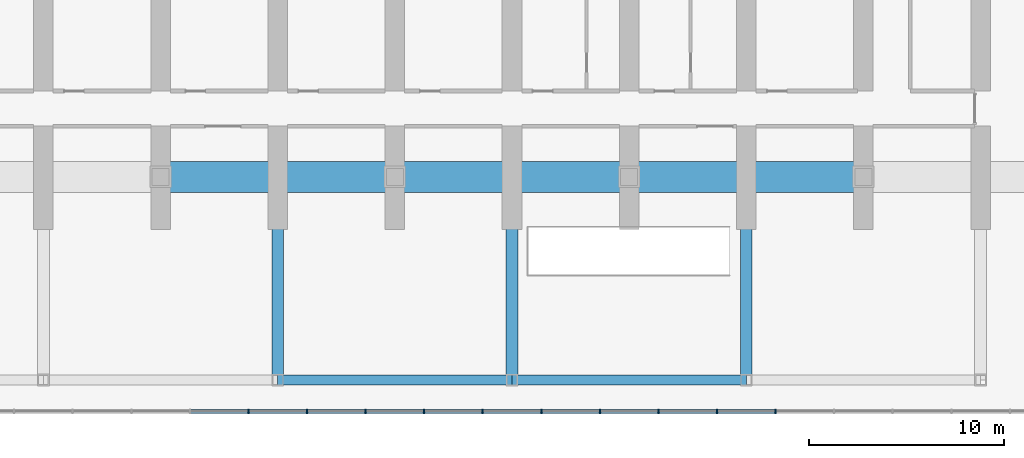
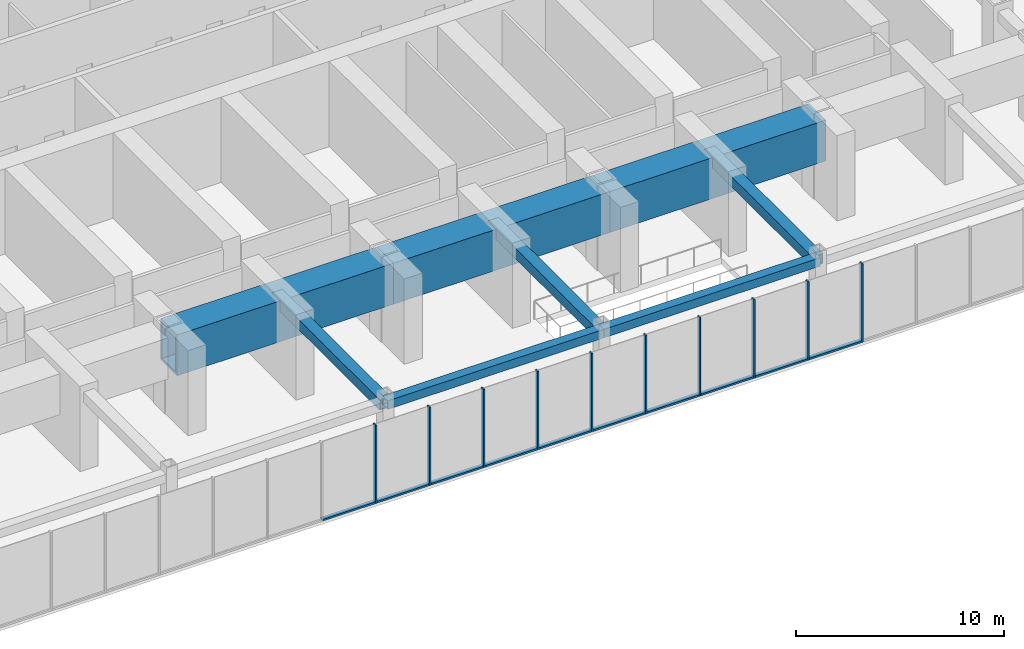
# One storey, part 4 of 26: 20 members, 8 beams, 1 element without a shape of its own.
"""IFC4 building model written with IfcOpenShell, lengths in metres."""

from ifc_helpers import new_model, si_unit, direction, frame, origin, origin_2d, place, context, subcontext, project, spatial, rectangle, hollow_rectangle, extrude, material, material_profile, profile_set, type_object, element, aggregate, save


model = new_model("IFC4")

# Units and contexts
model_context = context("Model", 3, precision=1e-05, world=origin(), true_north=direction((0.0, 1.0)))
body_context = subcontext(model_context, "Body", "Model", "MODEL_VIEW")
ifc_project = project(units=[si_unit("LENGTHUNIT", "METRE"), si_unit("AREAUNIT", "SQUARE_METRE"), si_unit("VOLUMEUNIT", "CUBIC_METRE"), si_unit("PLANEANGLEUNIT", "RADIAN"), si_unit("MASSUNIT", "GRAM", prefix="KILO")], contexts=[model_context])

# Site, building, storey
site_placement = place(None, origin())
site = spatial("IfcSite", under=ifc_project, at=site_placement, CompositionType="ELEMENT")
building_placement = place(site_placement, origin())
building = spatial("IfcBuilding", under=site, at=building_placement, Name="Orbita Commons", CompositionType="ELEMENT")
storey_placement = place(building_placement, frame((0.0, 0.0, 11.0)))
storey = spatial("IfcBuildingStorey", under=building, at=storey_placement, Name="L02", CompositionType="ELEMENT", Elevation=11.0)

# Curtain wall, members
ifc_material_1 = material(Name="Anodised aluminium frame, pale silver", Category="aluminium")
curtain_wall_type = type_object("IfcCurtainWallType", Name="Podium storefront curtain wall CW-P", PredefinedType="NOTDEFINED", material=ifc_material_1)
curtain_wall_placement = place(storey_placement, origin())
curtain_wall = element("IfcCurtainWall", 1, at=curtain_wall_placement, inside=storey, type_object=curtain_wall_type, Name="Curtain wall S 1 L02", PredefinedType="NOTDEFINED")
ifc_material_2 = material(Name="Anodised aluminium, pale silver", Category="aluminium")
ifc_material_profile_1 = material_profile(ifc_material_2, rectangle(XDim=0.080078125, YDim=0.219970703125, at=origin_2d()), Name="AL 80x220")
ifc_profile_set_1 = profile_set([ifc_material_profile_1], Name="Anodised aluminium, pale silver")
member_type_1 = type_object("IfcMemberType", Name="Curtain wall mullion 80x220", PredefinedType="MULLION", material=ifc_profile_set_1)
member_1_placement = place(storey_placement, frame((34.5, -1.610107421875, 0.0), z_axis=(0.0, 0.0, 1.0), x_axis=(1.0, 0.0, 0.0)))
member_1 = element("IfcMember", 2, at=member_1_placement, type_object=member_type_1, Name="Mullion 11 CW-L02-S0", PredefinedType="MULLION", context=body_context, shape_type="SweptSolid", body=[
    extrude(rectangle(XDim=0.080078125, YDim=0.219970703125, at=origin_2d()), origin(), (0.0, 0.0, 1.0), 4.60009765625),
])
member_2_placement = place(storey_placement, frame((37.5, -1.610107421875, 0.0), z_axis=(0.0, 0.0, 1.0), x_axis=(1.0, 0.0, 0.0)))
member_2 = element("IfcMember", 3, at=member_2_placement, type_object=member_type_1, Name="Mullion 12 CW-L02-S0", PredefinedType="MULLION", context=body_context, shape_type="SweptSolid", body=[
    extrude(rectangle(XDim=0.080078125, YDim=0.219970703125, at=origin_2d()), origin(), (0.0, 0.0, 1.0), 4.60009765625),
])
member_3_placement = place(storey_placement, frame((40.5, -1.610107421875, 0.0), z_axis=(0.0, 0.0, 1.0), x_axis=(1.0, 0.0, 0.0)))
member_3 = element("IfcMember", 4, at=member_3_placement, type_object=member_type_1, Name="Mullion 13 CW-L02-S0", PredefinedType="MULLION", context=body_context, shape_type="SweptSolid", body=[
    extrude(rectangle(XDim=0.080078125, YDim=0.219970703125, at=origin_2d()), origin(), (0.0, 0.0, 1.0), 4.60009765625),
])
member_4_placement = place(storey_placement, frame((43.5, -1.610107421875, 0.0), z_axis=(0.0, 0.0, 1.0), x_axis=(1.0, 0.0, 0.0)))
member_4 = element("IfcMember", 5, at=member_4_placement, type_object=member_type_1, Name="Mullion 14 CW-L02-S0", PredefinedType="MULLION", context=body_context, shape_type="SweptSolid", body=[
    extrude(rectangle(XDim=0.080078125, YDim=0.219970703125, at=origin_2d()), origin(), (0.0, 0.0, 1.0), 4.60009765625),
])
member_5_placement = place(storey_placement, frame((46.5, -1.610107421875, 0.0), z_axis=(0.0, 0.0, 1.0), x_axis=(1.0, 0.0, 0.0)))
member_5 = element("IfcMember", 6, at=member_5_placement, type_object=member_type_1, Name="Mullion 15 CW-L02-S0", PredefinedType="MULLION", context=body_context, shape_type="SweptSolid", body=[
    extrude(rectangle(XDim=0.080078125, YDim=0.219970703125, at=origin_2d()), origin(), (0.0, 0.0, 1.0), 4.60009765625),
])
member_6_placement = place(storey_placement, frame((49.5, -1.610107421875, 0.0), z_axis=(0.0, 0.0, 1.0), x_axis=(1.0, 0.0, 0.0)))
member_6 = element("IfcMember", 7, at=member_6_placement, type_object=member_type_1, Name="Mullion 16 CW-L02-S0", PredefinedType="MULLION", context=body_context, shape_type="SweptSolid", body=[
    extrude(rectangle(XDim=0.080078125, YDim=0.219970703125, at=origin_2d()), origin(), (0.0, 0.0, 1.0), 4.60009765625),
])
member_7_placement = place(storey_placement, frame((52.5, -1.610107421875, 0.0), z_axis=(0.0, 0.0, 1.0), x_axis=(1.0, 0.0, 0.0)))
member_7 = element("IfcMember", 8, at=member_7_placement, type_object=member_type_1, Name="Mullion 17 CW-L02-S0", PredefinedType="MULLION", context=body_context, shape_type="SweptSolid", body=[
    extrude(rectangle(XDim=0.080078125, YDim=0.219970703125, at=origin_2d()), origin(), (0.0, 0.0, 1.0), 4.60009765625),
])
member_8_placement = place(storey_placement, frame((55.5, -1.610107421875, 0.0), z_axis=(0.0, 0.0, 1.0), x_axis=(1.0, 0.0, 0.0)))
member_8 = element("IfcMember", 9, at=member_8_placement, type_object=member_type_1, Name="Mullion 18 CW-L02-S0", PredefinedType="MULLION", context=body_context, shape_type="SweptSolid", body=[
    extrude(rectangle(XDim=0.080078125, YDim=0.219970703125, at=origin_2d()), origin(), (0.0, 0.0, 1.0), 4.60009765625),
])
member_9_placement = place(storey_placement, frame((58.5, -1.610107421875, 0.0), z_axis=(0.0, 0.0, 1.0), x_axis=(1.0, 0.0, 0.0)))
member_9 = element("IfcMember", 10, at=member_9_placement, type_object=member_type_1, Name="Mullion 19 CW-L02-S0", PredefinedType="MULLION", context=body_context, shape_type="SweptSolid", body=[
    extrude(rectangle(XDim=0.080078125, YDim=0.219970703125, at=origin_2d()), origin(), (0.0, 0.0, 1.0), 4.60009765625),
])
member_10_placement = place(storey_placement, frame((61.5, -1.610107421875, 0.0), z_axis=(0.0, 0.0, 1.0), x_axis=(1.0, 0.0, 0.0)))
member_10 = element("IfcMember", 11, at=member_10_placement, type_object=member_type_1, Name="Mullion 20 CW-L02-S0", PredefinedType="MULLION", context=body_context, shape_type="SweptSolid", body=[
    extrude(rectangle(XDim=0.080078125, YDim=0.219970703125, at=origin_2d()), origin(), (0.0, 0.0, 1.0), 4.60009765625),
])
ifc_material_3 = material(Name="Anodised aluminium, pale silver", Category="aluminium")
ifc_material_profile_2 = material_profile(ifc_material_3, rectangle(XDim=0.219970703125, YDim=0.10009765625, at=origin_2d()), Name="AL 220x100")
ifc_profile_set_2 = profile_set([ifc_material_profile_2], Name="Anodised aluminium, pale silver")
member_type_2 = type_object("IfcMemberType", Name="Curtain wall stack transom 220x100", PredefinedType="USERDEFINED", material=ifc_profile_set_2)
member_11_placement = place(storey_placement, frame((31.5400390625, -1.610107421875, 0.050048828125), z_axis=(1.0, 0.0, 0.0), x_axis=(0.0, 1.0, 0.0)))
member_11 = element("IfcMember", 12, at=member_11_placement, type_object=member_type_2, Name="Transom 10.1 CW-L02-S0", ObjectType="TRANSOM", PredefinedType="USERDEFINED", context=body_context, shape_type="SweptSolid", body=[
    extrude(rectangle(XDim=0.219970703125, YDim=0.10009765625, at=origin_2d()), origin(), (0.0, 0.0, 1.0), 2.919921875),
])
member_12_placement = place(storey_placement, frame((34.5400390625, -1.610107421875, 0.050048828125), z_axis=(1.0, 0.0, 0.0), x_axis=(0.0, 1.0, 0.0)))
member_12 = element("IfcMember", 13, at=member_12_placement, type_object=member_type_2, Name="Transom 11.1 CW-L02-S0", ObjectType="TRANSOM", PredefinedType="USERDEFINED", context=body_context, shape_type="SweptSolid", body=[
    extrude(rectangle(XDim=0.219970703125, YDim=0.10009765625, at=origin_2d()), origin(), (0.0, 0.0, 1.0), 2.919921875),
])
member_13_placement = place(storey_placement, frame((37.5400390625, -1.610107421875, 0.050048828125), z_axis=(1.0, 0.0, 0.0), x_axis=(0.0, 1.0, 0.0)))
member_13 = element("IfcMember", 14, at=member_13_placement, type_object=member_type_2, Name="Transom 12.1 CW-L02-S0", ObjectType="TRANSOM", PredefinedType="USERDEFINED", context=body_context, shape_type="SweptSolid", body=[
    extrude(rectangle(XDim=0.219970703125, YDim=0.10009765625, at=origin_2d()), origin(), (0.0, 0.0, 1.0), 2.919921875),
])
member_14_placement = place(storey_placement, frame((40.5400390625, -1.610107421875, 0.050048828125), z_axis=(1.0, 0.0, 0.0), x_axis=(0.0, 1.0, 0.0)))
member_14 = element("IfcMember", 15, at=member_14_placement, type_object=member_type_2, Name="Transom 13.1 CW-L02-S0", ObjectType="TRANSOM", PredefinedType="USERDEFINED", context=body_context, shape_type="SweptSolid", body=[
    extrude(rectangle(XDim=0.219970703125, YDim=0.10009765625, at=origin_2d()), origin(), (0.0, 0.0, 1.0), 2.919921875),
])
member_15_placement = place(storey_placement, frame((43.5400390625, -1.610107421875, 0.050048828125), z_axis=(1.0, 0.0, 0.0), x_axis=(0.0, 1.0, 0.0)))
member_15 = element("IfcMember", 16, at=member_15_placement, type_object=member_type_2, Name="Transom 14.1 CW-L02-S0", ObjectType="TRANSOM", PredefinedType="USERDEFINED", context=body_context, shape_type="SweptSolid", body=[
    extrude(rectangle(XDim=0.219970703125, YDim=0.10009765625, at=origin_2d()), origin(), (0.0, 0.0, 1.0), 2.919921875),
])
member_16_placement = place(storey_placement, frame((46.5400390625, -1.610107421875, 0.050048828125), z_axis=(1.0, 0.0, 0.0), x_axis=(0.0, 1.0, 0.0)))
member_16 = element("IfcMember", 17, at=member_16_placement, type_object=member_type_2, Name="Transom 15.1 CW-L02-S0", ObjectType="TRANSOM", PredefinedType="USERDEFINED", context=body_context, shape_type="SweptSolid", body=[
    extrude(rectangle(XDim=0.219970703125, YDim=0.10009765625, at=origin_2d()), origin(), (0.0, 0.0, 1.0), 2.919921875),
])
member_17_placement = place(storey_placement, frame((49.5400390625, -1.610107421875, 0.050048828125), z_axis=(1.0, 0.0, 0.0), x_axis=(0.0, 1.0, 0.0)))
member_17 = element("IfcMember", 18, at=member_17_placement, type_object=member_type_2, Name="Transom 16.1 CW-L02-S0", ObjectType="TRANSOM", PredefinedType="USERDEFINED", context=body_context, shape_type="SweptSolid", body=[
    extrude(rectangle(XDim=0.219970703125, YDim=0.10009765625, at=origin_2d()), origin(), (0.0, 0.0, 1.0), 2.919921875),
])
member_18_placement = place(storey_placement, frame((52.5400390625, -1.610107421875, 0.050048828125), z_axis=(1.0, 0.0, 0.0), x_axis=(0.0, 1.0, 0.0)))
member_18 = element("IfcMember", 19, at=member_18_placement, type_object=member_type_2, Name="Transom 17.1 CW-L02-S0", ObjectType="TRANSOM", PredefinedType="USERDEFINED", context=body_context, shape_type="SweptSolid", body=[
    extrude(rectangle(XDim=0.219970703125, YDim=0.10009765625, at=origin_2d()), origin(), (0.0, 0.0, 1.0), 2.919921875),
])
member_19_placement = place(storey_placement, frame((55.5400390625, -1.610107421875, 0.050048828125), z_axis=(1.0, 0.0, 0.0), x_axis=(0.0, 1.0, 0.0)))
member_19 = element("IfcMember", 20, at=member_19_placement, type_object=member_type_2, Name="Transom 18.1 CW-L02-S0", ObjectType="TRANSOM", PredefinedType="USERDEFINED", context=body_context, shape_type="SweptSolid", body=[
    extrude(rectangle(XDim=0.219970703125, YDim=0.10009765625, at=origin_2d()), origin(), (0.0, 0.0, 1.0), 2.919921875),
])
member_20_placement = place(storey_placement, frame((58.5400390625, -1.610107421875, 0.050048828125), z_axis=(1.0, 0.0, 0.0), x_axis=(0.0, 1.0, 0.0)))
member_20 = element("IfcMember", 21, at=member_20_placement, type_object=member_type_2, Name="Transom 19.1 CW-L02-S0", ObjectType="TRANSOM", PredefinedType="USERDEFINED", context=body_context, shape_type="SweptSolid", body=[
    extrude(rectangle(XDim=0.219970703125, YDim=0.10009765625, at=origin_2d()), origin(), (0.0, 0.0, 1.0), 2.919921875),
])
aggregate(curtain_wall, [member_1, member_2, member_3, member_4, member_5, member_6, member_7, member_8, member_9, member_10, member_11, member_12, member_13, member_14, member_15, member_16, member_17, member_18, member_19, member_20])

# Beams
ifc_material_4 = material(Name="Steel ASTM A572 Gr 50 welded plate", Category="steel")
ifc_material_profile_3 = material_profile(ifc_material_4, hollow_rectangle(XDim=0.5, YDim=0.5, WallThickness=0.050048828125, at=origin_2d()), Name="BOX 500x500x50")
ifc_profile_set_3 = profile_set([ifc_material_profile_3], Name="Steel ASTM A572 Gr 50 welded plate")
beam_type_1 = type_object("IfcBeamType", Name="Steel edge beam BOX 500x500x50", PredefinedType="SPANDREL", material=ifc_profile_set_3)
for number, where, z_axis, x_axis, name in (
    (22, (36.0, 0.0, 4.35009765625), (1.0, 0.0, 0.0), (0.0, 1.0, 0.0), "Edge beam A 7-9 L02"),
    (23, (48.0, 0.0, 4.35009765625), (1.0, 0.0, 0.0), (0.0, 1.0, 0.0), "Edge beam A 9-11 L02"),
):
    element("IfcBeam", number, at=place(storey_placement, frame(where, z_axis=z_axis, x_axis=x_axis)), inside=storey, type_object=beam_type_1, Name=name, PredefinedType="SPANDREL", context=body_context, shape_type="SweptSolid", body=[
        extrude(hollow_rectangle(XDim=0.5, YDim=0.5, WallThickness=0.050048828125, at=origin_2d()), origin(), (0.0, 0.0, 1.0), 12.0),
    ])
ifc_material_5 = material(Name="Steel ASTM A572 Gr 50 welded plate", Category="steel")
ifc_material_profile_4 = material_profile(ifc_material_5, hollow_rectangle(XDim=0.60009765625, YDim=0.60009765625, WallThickness=0.06005859375, at=origin_2d()), Name="BOX 600x600x60")
ifc_profile_set_4 = profile_set([ifc_material_profile_4], Name="Steel ASTM A572 Gr 50 welded plate")
beam_type_2 = type_object("IfcBeamType", Name="Steel podium beam BOX 600x600x60", PredefinedType="BEAM", material=ifc_profile_set_4)
for number, where, z_axis, x_axis, name in (
    (24, (36.0, 0.0, 4.300048828125), (0.0, 1.0, 0.0), (-1.0, 0.0, 0.0), "Podium beam 7 A-B L02"),
    (25, (48.0, 0.0, 4.300048828125), (0.0, 1.0, 0.0), (-1.0, 0.0, 0.0), "Podium beam 9 A-B L02"),
    (26, (60.0, 0.0, 4.300048828125), (0.0, 1.0, 0.0), (-1.0, 0.0, 0.0), "Podium beam 11 A-B L02"),
):
    element("IfcBeam", number, at=place(storey_placement, frame(where, z_axis=z_axis, x_axis=x_axis)), inside=storey, type_object=beam_type_2, Name=name, PredefinedType="BEAM", context=body_context, shape_type="SweptSolid", body=[
        extrude(hollow_rectangle(XDim=0.60009765625, YDim=0.60009765625, WallThickness=0.06005859375, at=origin_2d()), origin(), (0.0, 0.0, 1.0), 10.39990234375),
    ])
ifc_material_6 = material(Name="Steel ASTM A572 Gr 42 welded plate", Category="steel")
ifc_material_profile_5 = material_profile(ifc_material_6, hollow_rectangle(XDim=1.60009765625, YDim=2.39990234375, WallThickness=0.14990234375, at=origin_2d()), Name="BOX 2400x1600x150")
ifc_profile_set_5 = profile_set([ifc_material_profile_5], Name="Steel ASTM A572 Gr 42 welded plate")
beam_type_3 = type_object("IfcBeamType", Name="Steel transfer girder BOX 2400x1600x150", PredefinedType="BEAM", material=ifc_profile_set_5)
for number, where, z_axis, x_axis, name in (
    (27, (30.0, 10.39990234375, 3.39990234375), (1.0, 0.0, 0.0), (0.0, 1.0, 0.0), "Transfer girder B 6-8"),
    (28, (42.0, 10.39990234375, 3.39990234375), (1.0, 0.0, 0.0), (0.0, 1.0, 0.0), "Transfer girder B 8-10"),
    (29, (54.0, 10.39990234375, 3.39990234375), (1.0, 0.0, 0.0), (0.0, 1.0, 0.0), "Transfer girder B 10-12"),
):
    element("IfcBeam", number, at=place(storey_placement, frame(where, z_axis=z_axis, x_axis=x_axis)), inside=storey, type_object=beam_type_3, Name=name, PredefinedType="BEAM", context=body_context, shape_type="SweptSolid", body=[
        extrude(hollow_rectangle(XDim=1.60009765625, YDim=2.39990234375, WallThickness=0.14990234375, at=origin_2d()), origin(), (0.0, 0.0, 1.0), 12.0),
    ])

save(model, "model.ifc")
